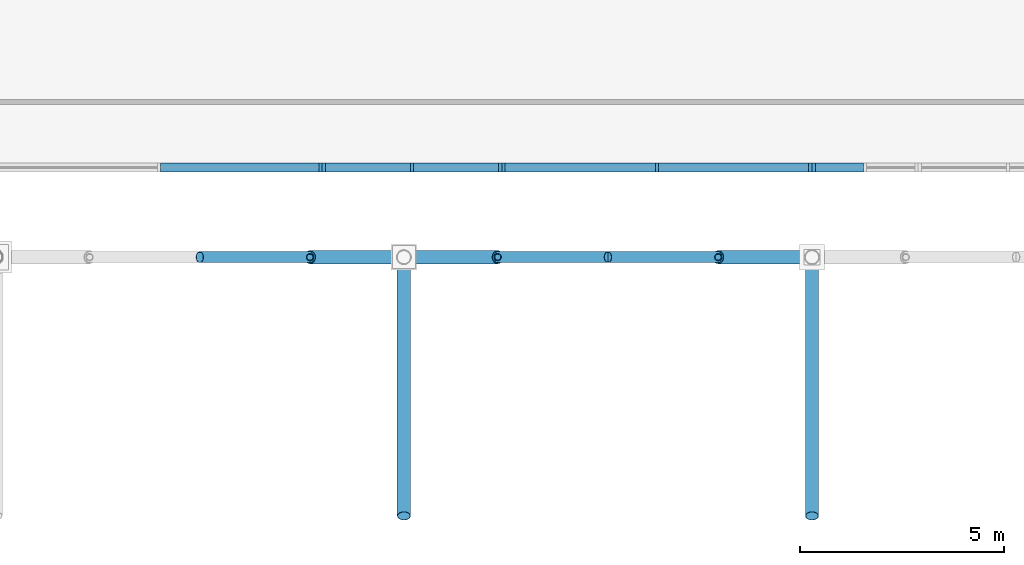
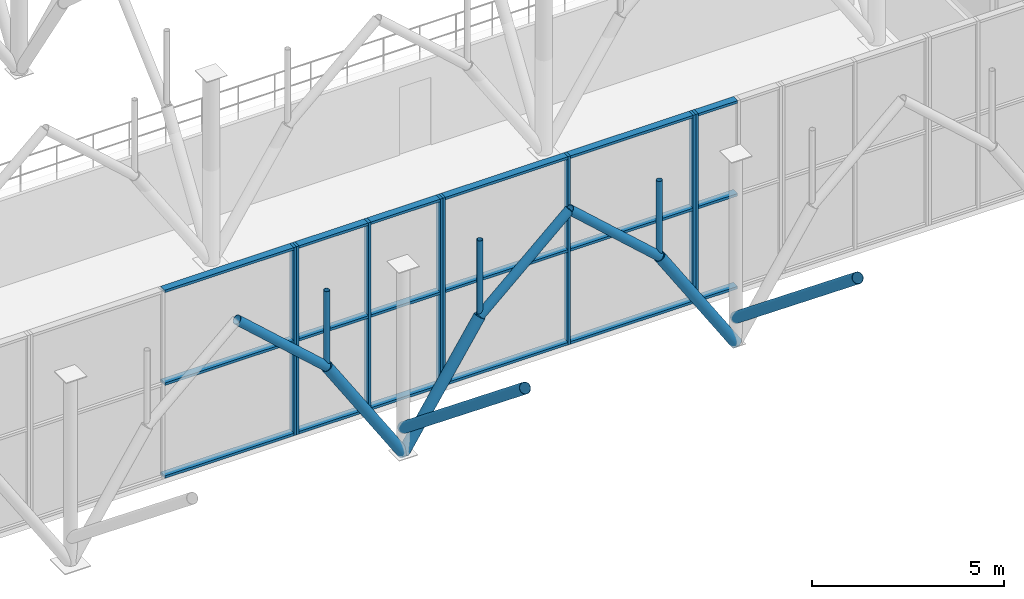
# One storey, part 37 of 109: 37 members, 4 elements without a shape of their own.
"""IFC4 building model written with IfcOpenShell, lengths in metres."""

from ifc_helpers import new_model, si_unit, derived_unit, direction, frame, origin, origin_2d_with_axis, place, context, subcontext, project, spatial, rectangle, hollow_circle, extrude, material, material_profile, profile_set, type_object, element, aggregate, save


model = new_model("IFC4")

# Units and contexts
model_context = context("Model", 3, precision=1e-05, world=origin(), true_north=direction((0.0, 1.0)))
body_context = subcontext(model_context, "Body", "Model", "MODEL_VIEW")
ifc_project = project(units=[si_unit("LENGTHUNIT", "METRE"), si_unit("AREAUNIT", "SQUARE_METRE"), si_unit("VOLUMEUNIT", "CUBIC_METRE"), si_unit("PLANEANGLEUNIT", "RADIAN"), si_unit("MASSUNIT", "GRAM", prefix="KILO"), derived_unit("THERMALTRANSMITTANCEUNIT", [(si_unit("POWERUNIT", "WATT"), 1), (si_unit("LENGTHUNIT", "METRE"), -2), (si_unit("THERMODYNAMICTEMPERATUREUNIT", "KELVIN"), -1)])], contexts=[model_context])

# Site, building, storey
site_placement = place(None, origin())
site = spatial("IfcSite", under=ifc_project, at=site_placement, CompositionType="ELEMENT")
building_placement = place(site_placement, origin())
building = spatial("IfcBuilding", under=site, at=building_placement, Name="Cinnabar Yard Market Hall", CompositionType="ELEMENT")
storey_placement = place(building_placement, frame((0.0, 0.0, 8.39990234375)))
storey = spatial("IfcBuildingStorey", under=building, at=storey_placement, Name="L02", CompositionType="ELEMENT", Elevation=8.39990234375)

# Curtain wall, member
ifc_material_1 = material(Name="Anodised bronze aluminium and low-E glass", Category="aluminium")
curtain_wall_type_1 = type_object("IfcCurtainWallType", Name="CW-CWH080x60", PredefinedType="NOTDEFINED", material=ifc_material_1)
curtain_wall_1_placement = place(storey_placement, origin())
curtain_wall_1 = element("IfcCurtainWall", 1, at=curtain_wall_1_placement, inside=storey, type_object=curtain_wall_type_1, Name="Market Hall South Upper Clerestory B3", PredefinedType="NOTDEFINED")
ifc_material_2 = material(Name="Anodised bronze aluminium", Category="aluminium")
ifc_material_profile_1 = material_profile(ifc_material_2, rectangle(XDim=0.219970703125, YDim=0.080078125, at=origin_2d_with_axis()), Name="MUL-CWH")
ifc_profile_set_1 = profile_set([ifc_material_profile_1], Name="Anodised bronze aluminium")
member_type_1 = type_object("IfcMemberType", Name="CWM-CWH", PredefinedType="MULLION", material=ifc_profile_set_1)
member_1_placement = place(storey_placement, frame((113.9599609375, 16.199951171875, 0.0), z_axis=(0.0, 0.0, 1.0), x_axis=(0.0, 1.0, 0.0)))
member_1 = element("IfcMember", 2, at=member_1_placement, type_object=member_type_1, Name="CWH080x60 mullion 3", PredefinedType="MULLION", context=body_context, shape_type="SweptSolid", body=[
    extrude(rectangle(XDim=0.219970703125, YDim=0.080078125, at=origin_2d_with_axis()), origin(), (0.0, 0.0, 1.0), 5.97998046875),
])

# Curtain wall, members
curtain_wall_type_2 = type_object("IfcCurtainWallType", Name="CW-CWH044x60", PredefinedType="NOTDEFINED", material=ifc_material_1)
curtain_wall_2_placement = place(storey_placement, origin())
curtain_wall_2 = element("IfcCurtainWall", 3, at=curtain_wall_2_placement, inside=storey, type_object=curtain_wall_type_2, Name="Market Hall South Upper Clerestory PT1", PredefinedType="NOTDEFINED")
member_2_placement = place(storey_placement, frame((114.0400390625, 16.199951171875, 0.0), z_axis=(0.0, 0.0, 1.0), x_axis=(0.0, 1.0, 0.0)))
member_2 = element("IfcMember", 4, at=member_2_placement, type_object=member_type_1, Name="CWH044x60 mullion 1", PredefinedType="MULLION", context=body_context, shape_type="SweptSolid", body=[
    extrude(rectangle(XDim=0.219970703125, YDim=0.080078125, at=origin_2d_with_axis()), origin(), (0.0, 0.0, 1.0), 5.97998046875),
])
member_3_placement = place(storey_placement, frame((116.199951171875, 16.199951171875, 0.0), z_axis=(0.0, 0.0, 1.0), x_axis=(0.0, 1.0, 0.0)))
member_3 = element("IfcMember", 5, at=member_3_placement, type_object=member_type_1, Name="CWH044x60 mullion 2", PredefinedType="MULLION", context=body_context, shape_type="SweptSolid", body=[
    extrude(rectangle(XDim=0.219970703125, YDim=0.080078125, at=origin_2d_with_axis()), origin(), (0.0, 0.0, 1.0), 5.97998046875),
])
member_4_placement = place(storey_placement, frame((118.360107421875, 16.199951171875, 0.0), z_axis=(0.0, 0.0, 1.0), x_axis=(0.0, 1.0, 0.0)))
member_4 = element("IfcMember", 6, at=member_4_placement, type_object=member_type_1, Name="CWH044x60 mullion 3", PredefinedType="MULLION", context=body_context, shape_type="SweptSolid", body=[
    extrude(rectangle(XDim=0.219970703125, YDim=0.080078125, at=origin_2d_with_axis()), origin(), (0.0, 0.0, 1.0), 5.97998046875),
])

curtain_wall_type_3 = type_object("IfcCurtainWallType", Name="CW-CWH076x60", PredefinedType="NOTDEFINED", material=ifc_material_1)
curtain_wall_3_placement = place(storey_placement, origin())
curtain_wall_3 = element("IfcCurtainWall", 7, at=curtain_wall_3_placement, inside=storey, type_object=curtain_wall_type_3, Name="Market Hall South Upper Clerestory B4", PredefinedType="NOTDEFINED")
member_5_placement = place(storey_placement, frame((118.43994140625, 16.199951171875, 0.0), z_axis=(0.0, 0.0, 1.0), x_axis=(0.0, 1.0, 0.0)))
member_5 = element("IfcMember", 8, at=member_5_placement, type_object=member_type_1, Name="CWH076x60 mullion 1", PredefinedType="MULLION", context=body_context, shape_type="SweptSolid", body=[
    extrude(rectangle(XDim=0.219970703125, YDim=0.080078125, at=origin_2d_with_axis()), origin(), (0.0, 0.0, 1.0), 5.97998046875),
])
member_6_placement = place(storey_placement, frame((122.199951171875, 16.199951171875, 0.0), z_axis=(0.0, 0.0, 1.0), x_axis=(0.0, 1.0, 0.0)))
member_6 = element("IfcMember", 9, at=member_6_placement, type_object=member_type_1, Name="CWH076x60 mullion 2", PredefinedType="MULLION", context=body_context, shape_type="SweptSolid", body=[
    extrude(rectangle(XDim=0.219970703125, YDim=0.080078125, at=origin_2d_with_axis()), origin(), (0.0, 0.0, 1.0), 5.97998046875),
])
member_7_placement = place(storey_placement, frame((125.9599609375, 16.199951171875, 0.0), z_axis=(0.0, 0.0, 1.0), x_axis=(0.0, 1.0, 0.0)))
member_7 = element("IfcMember", 10, at=member_7_placement, type_object=member_type_1, Name="CWH076x60 mullion 3", PredefinedType="MULLION", context=body_context, shape_type="SweptSolid", body=[
    extrude(rectangle(XDim=0.219970703125, YDim=0.080078125, at=origin_2d_with_axis()), origin(), (0.0, 0.0, 1.0), 5.97998046875),
])

# Curtain wall, member
curtain_wall_type_4 = type_object("IfcCurtainWallType", Name="CW-CWH026x60", PredefinedType="NOTDEFINED", material=ifc_material_1)
curtain_wall_4_placement = place(storey_placement, origin())
curtain_wall_4 = element("IfcCurtainWall", 11, at=curtain_wall_4_placement, inside=storey, type_object=curtain_wall_type_4, Name="Market Hall South Upper Clerestory B5A", PredefinedType="NOTDEFINED")
member_8_placement = place(storey_placement, frame((126.0400390625, 16.199951171875, 0.0), z_axis=(0.0, 0.0, 1.0), x_axis=(0.0, 1.0, 0.0)))
member_8 = element("IfcMember", 12, at=member_8_placement, type_object=member_type_1, Name="CWH026x60 mullion 1", PredefinedType="MULLION", context=body_context, shape_type="SweptSolid", body=[
    extrude(rectangle(XDim=0.219970703125, YDim=0.080078125, at=origin_2d_with_axis()), origin(), (0.0, 0.0, 1.0), 5.97998046875),
])

# Member
ifc_material_profile_2 = material_profile(ifc_material_2, rectangle(XDim=0.219970703125, YDim=0.080078125, at=origin_2d_with_axis()), Name="TRN-CWH")
ifc_profile_set_2 = profile_set([ifc_material_profile_2], Name="Anodised bronze aluminium")
member_type_2 = type_object("IfcMemberType", Name="CWT-CWH", PredefinedType="USERDEFINED", material=ifc_profile_set_2)
member_9_placement = place(storey_placement, frame((110.0400390625, 16.199951171875, 0.0400390625), z_axis=(1.0, 0.0, 0.0), x_axis=(0.0, 1.0, 0.0)))
member_9 = element("IfcMember", 13, at=member_9_placement, type_object=member_type_2, Name="CWH080x60 transom 2.1", ObjectType="TRANSOM", PredefinedType="USERDEFINED", context=body_context, shape_type="SweptSolid", body=[
    extrude(rectangle(XDim=0.219970703125, YDim=0.080078125, at=origin_2d_with_axis()), origin(), (0.0, 0.0, 1.0), 3.8798828125),
])

member_10_placement = place(storey_placement, frame((110.0400390625, 16.199951171875, 2.989990234375), z_axis=(1.0, 0.0, 0.0), x_axis=(0.0, 1.0, 0.0)))
member_10 = element("IfcMember", 14, at=member_10_placement, type_object=member_type_2, Name="CWH080x60 transom 2.2", ObjectType="TRANSOM", PredefinedType="USERDEFINED", context=body_context, shape_type="SweptSolid", body=[
    extrude(rectangle(XDim=0.219970703125, YDim=0.080078125, at=origin_2d_with_axis()), origin(), (0.0, 0.0, 1.0), 3.8798828125),
])

member_11_placement = place(storey_placement, frame((110.0400390625, 16.199951171875, 5.940185546875), z_axis=(1.0, 0.0, 0.0), x_axis=(0.0, 1.0, 0.0)))
member_11 = element("IfcMember", 15, at=member_11_placement, type_object=member_type_2, Name="CWH080x60 transom 2.3", ObjectType="TRANSOM", PredefinedType="USERDEFINED", context=body_context, shape_type="SweptSolid", body=[
    extrude(rectangle(XDim=0.219970703125, YDim=0.080078125, at=origin_2d_with_axis()), origin(), (0.0, 0.0, 1.0), 3.8798828125),
])

aggregate(curtain_wall_1, [member_1, member_9, member_10, member_11])

member_12_placement = place(storey_placement, frame((114.080078125, 16.199951171875, 0.0400390625), z_axis=(1.0, 0.0, 0.0), x_axis=(0.0, 1.0, 0.0)))
member_12 = element("IfcMember", 16, at=member_12_placement, type_object=member_type_2, Name="CWH044x60 transom 1.1", ObjectType="TRANSOM", PredefinedType="USERDEFINED", context=body_context, shape_type="SweptSolid", body=[
    extrude(rectangle(XDim=0.219970703125, YDim=0.080078125, at=origin_2d_with_axis()), origin(), (0.0, 0.0, 1.0), 2.079833984375),
])

member_13_placement = place(storey_placement, frame((114.080078125, 16.199951171875, 2.989990234375), z_axis=(1.0, 0.0, 0.0), x_axis=(0.0, 1.0, 0.0)))
member_13 = element("IfcMember", 17, at=member_13_placement, type_object=member_type_2, Name="CWH044x60 transom 1.2", ObjectType="TRANSOM", PredefinedType="USERDEFINED", context=body_context, shape_type="SweptSolid", body=[
    extrude(rectangle(XDim=0.219970703125, YDim=0.080078125, at=origin_2d_with_axis()), origin(), (0.0, 0.0, 1.0), 2.079833984375),
])

member_14_placement = place(storey_placement, frame((114.080078125, 16.199951171875, 5.940185546875), z_axis=(1.0, 0.0, 0.0), x_axis=(0.0, 1.0, 0.0)))
member_14 = element("IfcMember", 18, at=member_14_placement, type_object=member_type_2, Name="CWH044x60 transom 1.3", ObjectType="TRANSOM", PredefinedType="USERDEFINED", context=body_context, shape_type="SweptSolid", body=[
    extrude(rectangle(XDim=0.219970703125, YDim=0.080078125, at=origin_2d_with_axis()), origin(), (0.0, 0.0, 1.0), 2.079833984375),
])

member_15_placement = place(storey_placement, frame((116.239990234375, 16.199951171875, 0.0400390625), z_axis=(1.0, 0.0, 0.0), x_axis=(0.0, 1.0, 0.0)))
member_15 = element("IfcMember", 19, at=member_15_placement, type_object=member_type_2, Name="CWH044x60 transom 2.1", ObjectType="TRANSOM", PredefinedType="USERDEFINED", context=body_context, shape_type="SweptSolid", body=[
    extrude(rectangle(XDim=0.219970703125, YDim=0.080078125, at=origin_2d_with_axis()), origin(), (0.0, 0.0, 1.0), 2.080078125),
])

member_16_placement = place(storey_placement, frame((116.239990234375, 16.199951171875, 2.989990234375), z_axis=(1.0, 0.0, 0.0), x_axis=(0.0, 1.0, 0.0)))
member_16 = element("IfcMember", 20, at=member_16_placement, type_object=member_type_2, Name="CWH044x60 transom 2.2", ObjectType="TRANSOM", PredefinedType="USERDEFINED", context=body_context, shape_type="SweptSolid", body=[
    extrude(rectangle(XDim=0.219970703125, YDim=0.080078125, at=origin_2d_with_axis()), origin(), (0.0, 0.0, 1.0), 2.080078125),
])

member_17_placement = place(storey_placement, frame((116.239990234375, 16.199951171875, 5.940185546875), z_axis=(1.0, 0.0, 0.0), x_axis=(0.0, 1.0, 0.0)))
member_17 = element("IfcMember", 21, at=member_17_placement, type_object=member_type_2, Name="CWH044x60 transom 2.3", ObjectType="TRANSOM", PredefinedType="USERDEFINED", context=body_context, shape_type="SweptSolid", body=[
    extrude(rectangle(XDim=0.219970703125, YDim=0.080078125, at=origin_2d_with_axis()), origin(), (0.0, 0.0, 1.0), 2.080078125),
])

aggregate(curtain_wall_2, [member_2, member_3, member_4, member_12, member_13, member_14, member_15, member_16, member_17])

member_18_placement = place(storey_placement, frame((118.47998046875, 16.199951171875, 0.0400390625), z_axis=(1.0, 0.0, 0.0), x_axis=(0.0, 1.0, 0.0)))
member_18 = element("IfcMember", 22, at=member_18_placement, type_object=member_type_2, Name="CWH076x60 transom 1.1", ObjectType="TRANSOM", PredefinedType="USERDEFINED", context=body_context, shape_type="SweptSolid", body=[
    extrude(rectangle(XDim=0.219970703125, YDim=0.080078125, at=origin_2d_with_axis()), origin(), (0.0, 0.0, 1.0), 3.679931640625),
])

member_19_placement = place(storey_placement, frame((118.47998046875, 16.199951171875, 2.989990234375), z_axis=(1.0, 0.0, 0.0), x_axis=(0.0, 1.0, 0.0)))
member_19 = element("IfcMember", 23, at=member_19_placement, type_object=member_type_2, Name="CWH076x60 transom 1.2", ObjectType="TRANSOM", PredefinedType="USERDEFINED", context=body_context, shape_type="SweptSolid", body=[
    extrude(rectangle(XDim=0.219970703125, YDim=0.080078125, at=origin_2d_with_axis()), origin(), (0.0, 0.0, 1.0), 3.679931640625),
])

member_20_placement = place(storey_placement, frame((118.47998046875, 16.199951171875, 5.940185546875), z_axis=(1.0, 0.0, 0.0), x_axis=(0.0, 1.0, 0.0)))
member_20 = element("IfcMember", 24, at=member_20_placement, type_object=member_type_2, Name="CWH076x60 transom 1.3", ObjectType="TRANSOM", PredefinedType="USERDEFINED", context=body_context, shape_type="SweptSolid", body=[
    extrude(rectangle(XDim=0.219970703125, YDim=0.080078125, at=origin_2d_with_axis()), origin(), (0.0, 0.0, 1.0), 3.679931640625),
])

member_21_placement = place(storey_placement, frame((122.239990234375, 16.199951171875, 0.0400390625), z_axis=(1.0, 0.0, 0.0), x_axis=(0.0, 1.0, 0.0)))
member_21 = element("IfcMember", 25, at=member_21_placement, type_object=member_type_2, Name="CWH076x60 transom 2.1", ObjectType="TRANSOM", PredefinedType="USERDEFINED", context=body_context, shape_type="SweptSolid", body=[
    extrude(rectangle(XDim=0.219970703125, YDim=0.080078125, at=origin_2d_with_axis()), origin(), (0.0, 0.0, 1.0), 3.679931640625),
])

member_22_placement = place(storey_placement, frame((122.239990234375, 16.199951171875, 2.989990234375), z_axis=(1.0, 0.0, 0.0), x_axis=(0.0, 1.0, 0.0)))
member_22 = element("IfcMember", 26, at=member_22_placement, type_object=member_type_2, Name="CWH076x60 transom 2.2", ObjectType="TRANSOM", PredefinedType="USERDEFINED", context=body_context, shape_type="SweptSolid", body=[
    extrude(rectangle(XDim=0.219970703125, YDim=0.080078125, at=origin_2d_with_axis()), origin(), (0.0, 0.0, 1.0), 3.679931640625),
])

member_23_placement = place(storey_placement, frame((122.239990234375, 16.199951171875, 5.940185546875), z_axis=(1.0, 0.0, 0.0), x_axis=(0.0, 1.0, 0.0)))
member_23 = element("IfcMember", 27, at=member_23_placement, type_object=member_type_2, Name="CWH076x60 transom 2.3", ObjectType="TRANSOM", PredefinedType="USERDEFINED", context=body_context, shape_type="SweptSolid", body=[
    extrude(rectangle(XDim=0.219970703125, YDim=0.080078125, at=origin_2d_with_axis()), origin(), (0.0, 0.0, 1.0), 3.679931640625),
])

aggregate(curtain_wall_3, [member_5, member_6, member_7, member_18, member_19, member_20, member_21, member_22, member_23])

member_24_placement = place(storey_placement, frame((126.080078125, 16.199951171875, 0.0400390625), z_axis=(1.0, 0.0, 0.0), x_axis=(0.0, 1.0, 0.0)))
member_24 = element("IfcMember", 28, at=member_24_placement, type_object=member_type_2, Name="CWH026x60 transom 1.1", ObjectType="TRANSOM", PredefinedType="USERDEFINED", context=body_context, shape_type="SweptSolid", body=[
    extrude(rectangle(XDim=0.219970703125, YDim=0.080078125, at=origin_2d_with_axis()), origin(), (0.0, 0.0, 1.0), 1.179931640625),
])

member_25_placement = place(storey_placement, frame((126.080078125, 16.199951171875, 2.989990234375), z_axis=(1.0, 0.0, 0.0), x_axis=(0.0, 1.0, 0.0)))
member_25 = element("IfcMember", 29, at=member_25_placement, type_object=member_type_2, Name="CWH026x60 transom 1.2", ObjectType="TRANSOM", PredefinedType="USERDEFINED", context=body_context, shape_type="SweptSolid", body=[
    extrude(rectangle(XDim=0.219970703125, YDim=0.080078125, at=origin_2d_with_axis()), origin(), (0.0, 0.0, 1.0), 1.179931640625),
])

member_26_placement = place(storey_placement, frame((126.080078125, 16.199951171875, 5.940185546875), z_axis=(1.0, 0.0, 0.0), x_axis=(0.0, 1.0, 0.0)))
member_26 = element("IfcMember", 30, at=member_26_placement, type_object=member_type_2, Name="CWH026x60 transom 1.3", ObjectType="TRANSOM", PredefinedType="USERDEFINED", context=body_context, shape_type="SweptSolid", body=[
    extrude(rectangle(XDim=0.219970703125, YDim=0.080078125, at=origin_2d_with_axis()), origin(), (0.0, 0.0, 1.0), 1.179931640625),
])

aggregate(curtain_wall_4, [member_8, member_24, member_25, member_26])

# Members
ifc_material_3 = material(Name="Spotted-gum glulam-clad steel Grade 350 (350 MPa)", Category="steel")
ifc_material_profile_3 = material_profile(ifc_material_3, hollow_circle(Radius=0.136474609375, WallThickness=0.00927734375, at=origin_2d_with_axis()), Name="273.1x9.3CHS")
ifc_profile_set_3 = profile_set([ifc_material_profile_3], Name="Spotted-gum glulam-clad steel Grade 350 (350 MPa)")
member_type_3 = type_object("IfcMemberType", Name="MB-AR01E", PredefinedType="USERDEFINED", material=ifc_profile_set_3)
for number, where, z_axis, x_axis, name in (
    (31, (118.300048828125, 14.0, 3.550048828125), (0.743297488271, 0.0, 0.668961018244), (0.0, 1.0, 0.0), "Pointed Arch Rib 0155"),
    (32, (113.699951171875, 14.0, 3.550048828125), (-0.743297488271, 0.0, 0.668961018244), (0.0, -1.0, 0.0), "Pointed Arch Rib 0156"),
    (33, (123.699951171875, 14.0, 3.550048828125), (-0.743297488271, 0.0, 0.668961018244), (0.0, -1.0, 0.0), "Pointed Arch Rib 0160"),
):
    element("IfcMember", number, at=place(storey_placement, frame(where, z_axis=z_axis, x_axis=x_axis)), inside=storey, type_object=member_type_3, Name=name, ObjectType="ARCH RIB", PredefinedType="USERDEFINED", context=body_context, shape_type="SweptSolid", body=[
        extrude(hollow_circle(Radius=0.136474609375, WallThickness=0.00927734375, at=origin_2d_with_axis()), origin(), (0.0, 0.0, 1.0), 3.63232421875),
    ])
ifc_material_profile_4 = material_profile(ifc_material_3, hollow_circle(Radius=0.161865234375, WallThickness=0.009521484375, at=origin_2d_with_axis()), Name="323.9x9.5CHS")
ifc_profile_set_4 = profile_set([ifc_material_profile_4], Name="Spotted-gum glulam-clad steel Grade 350 (350 MPa)")
member_type_4 = type_object("IfcMemberType", Name="MB-ST01E", PredefinedType="STRUT", material=ifc_profile_set_4)
for number, where, z_axis, x_axis, name in (
    (34, (116.0, 14.0, 0.0), (0.543744165176, 0.0, 0.839251024925), (0.0, 1.0, 0.0), "Curved Branch Arm Lower 0155"),
    (35, (116.0, 14.0, 0.0), (-0.543744165176, 0.0, 0.839251024925), (0.0, -1.0, 0.0), "Curved Branch Arm Lower 0156"),
    (36, (126.0, 14.0, 0.0), (-0.543744165176, 0.0, 0.839251024925), (0.0, -1.0, 0.0), "Curved Branch Arm Lower 0160"),
):
    element("IfcMember", number, at=place(storey_placement, frame(where, z_axis=z_axis, x_axis=x_axis)), inside=storey, type_object=member_type_4, Name=name, PredefinedType="STRUT", context=body_context, shape_type="SweptSolid", body=[
        extrude(hollow_circle(Radius=0.161865234375, WallThickness=0.009521484375, at=origin_2d_with_axis()), origin(), (0.0, 0.0, 1.0), 4.22998046875),
    ])
for number, where, z_axis, x_axis, name in (
    (37, (116.0, 14.0, 0.800048828125), (0.0, -0.779185735248, 0.626793099824), (1.0, 0.0, 0.0), "South Chhajja Bracket Arm 116"),
    (38, (126.0, 14.0, 0.800048828125), (0.0, -0.779185735248, 0.626793099824), (1.0, 0.0, 0.0), "South Chhajja Bracket Arm 126"),
):
    element("IfcMember", number, at=place(storey_placement, frame(where, z_axis=z_axis, x_axis=x_axis)), inside=storey, type_object=member_type_4, Name=name, PredefinedType="STRUT", context=body_context, shape_type="SweptSolid", body=[
        extrude(hollow_circle(Radius=0.161865234375, WallThickness=0.009521484375, at=origin_2d_with_axis()), origin(), (0.0, 0.0, 1.0), 8.13671875),
    ])
ifc_material_4 = material(Name="Cold-formed steel C350L0", Category="steel")
ifc_material_profile_5 = material_profile(ifc_material_4, hollow_circle(Radius=0.084228515625, WallThickness=0.00634765625, at=origin_2d_with_axis()), Name="168.3x6.4CHS")
ifc_profile_set_5 = profile_set([ifc_material_profile_5], Name="Cold-formed steel C350L0")
member_type_5 = type_object("IfcMemberType", Name="MB-WB01E", PredefinedType="STRUT", material=ifc_profile_set_5)
for number, where, z_axis, x_axis, name in (
    (39, (118.300048828125, 14.0, 3.550048828125), (0.0, 0.0, 1.0), (1.0, 0.0, 0.0), "Arch Spandrel Post 0155"),
    (40, (113.699951171875, 14.0, 3.550048828125), (0.0, 0.0, 1.0), (1.0, 0.0, 0.0), "Arch Spandrel Post 0156"),
    (41, (123.699951171875, 14.0, 3.550048828125), (0.0, 0.0, 1.0), (1.0, 0.0, 0.0), "Arch Spandrel Post 0160"),
):
    element("IfcMember", number, at=place(storey_placement, frame(where, z_axis=z_axis, x_axis=x_axis)), inside=storey, type_object=member_type_5, Name=name, PredefinedType="STRUT", context=body_context, shape_type="SweptSolid", body=[
        extrude(hollow_circle(Radius=0.084228515625, WallThickness=0.00634765625, at=origin_2d_with_axis()), origin(), (0.0, 0.0, 1.0), 2.429931640625),
    ])

save(model, "model.ifc")
